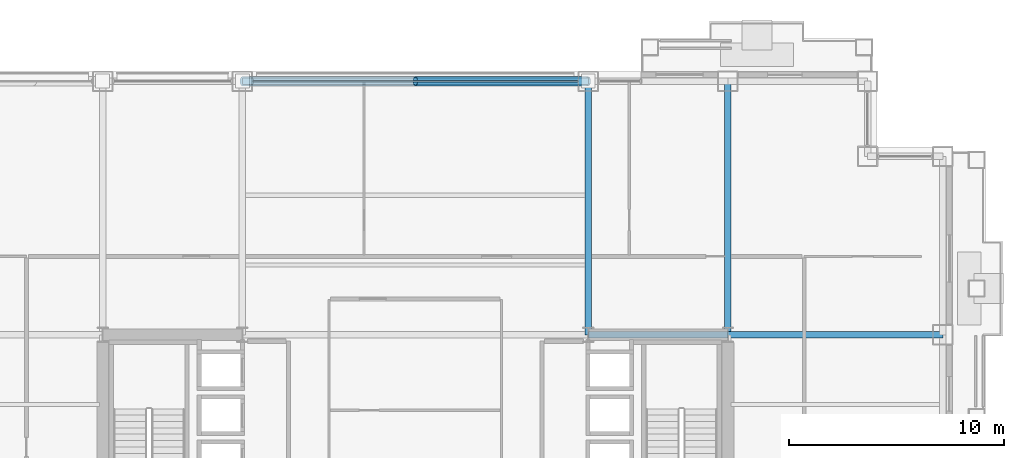
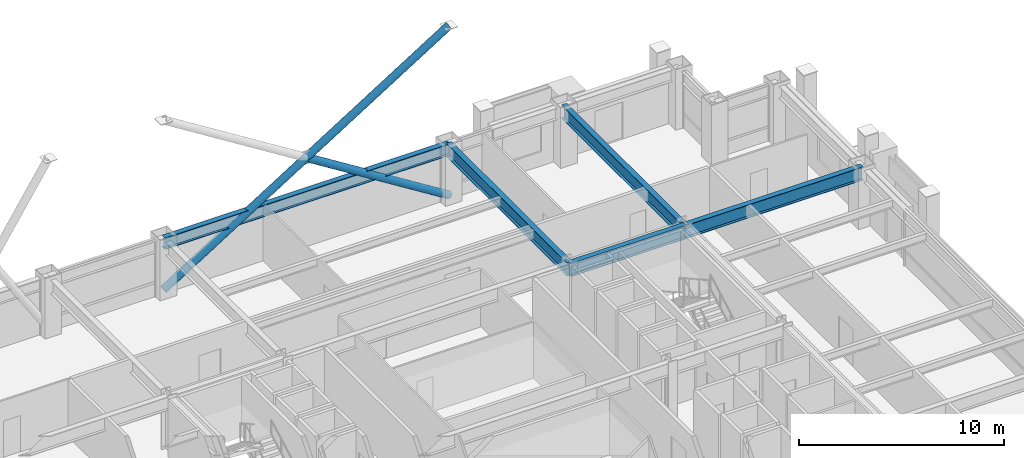
# One storey, part 21 of 33: 5 beams, 3 members, 1 element without a shape of its own.
"""IFC4 building model written with IfcOpenShell, lengths in metres."""

from ifc_helpers import new_model, si_unit, direction, frame, origin, origin_2d, place, context, subcontext, project, spatial, hollow_rectangle, hollow_circle, i_section, extrude, material, layer, layer_set, material_profile, profile_set, type_object, element, aggregate, save


model = new_model("IFC4")

# Units and contexts
model_context = context("Model", 3, precision=1e-05, world=origin(), true_north=direction((0.0, 1.0)))
body_context = subcontext(model_context, "Body", "Model", "MODEL_VIEW")
ifc_project = project(units=[si_unit("LENGTHUNIT", "METRE"), si_unit("AREAUNIT", "SQUARE_METRE"), si_unit("VOLUMEUNIT", "CUBIC_METRE"), si_unit("PLANEANGLEUNIT", "RADIAN"), si_unit("MASSUNIT", "GRAM", prefix="KILO")], contexts=[model_context])

# Site, building, storey
site_placement = place(None, origin())
site = spatial("IfcSite", under=ifc_project, at=site_placement, CompositionType="ELEMENT")
building_placement = place(site_placement, origin())
building = spatial("IfcBuilding", under=site, at=building_placement, Name="Brelmoor Portico Tower", CompositionType="ELEMENT")
storey_placement = place(building_placement, frame((0.0, 0.0, 34.800048828125)))
storey = spatial("IfcBuildingStorey", under=building, at=storey_placement, Name="L08", CompositionType="ELEMENT", Elevation=34.800048828125)

# Beams
ifc_material_1 = material(Name="Steel Q355B", Category="steel")
ifc_material_profile_1 = material_profile(ifc_material_1, i_section(OverallWidth=0.300048828125, OverallDepth=0.800048828125, WebThickness=0.013916015625, FlangeThickness=0.02587890625, at=origin_2d()), Name="HN 800x300x14x26")
ifc_profile_set_1 = profile_set([ifc_material_profile_1], Name="Steel Q355B")
beam_type_1 = type_object("IfcBeamType", Name="BM-PG-800", PredefinedType="BEAM", material=ifc_profile_set_1)
for number, where, z_axis, x_axis, name in (
    (1, (8.050048828125, 9.75, 3.0), (0.0, 1.0, 0.0), (-1.0, 0.0, 0.0), "L08 Primary Floor Girder PG-10"),
    (2, (14.550048828125, 9.75, 3.0), (0.0, 1.0, 0.0), (-1.0, 0.0, 0.0), "L08 Primary Floor Girder PG-14"),
):
    element("IfcBeam", number, at=place(storey_placement, frame(where, z_axis=z_axis, x_axis=x_axis)), inside=storey, type_object=beam_type_1, Name=name, PredefinedType="BEAM", context=body_context, shape_type="SweptSolid", body=[
        extrude(i_section(OverallWidth=0.300048828125, OverallDepth=0.800048828125, WebThickness=0.013916015625, FlangeThickness=0.02587890625, at=origin_2d()), origin(), (0.0, 0.0, 1.0), 11.800048828125),
    ])
beam_1_placement = place(storey_placement, frame((8.050048828125, 9.75, 3.0), z_axis=(1.0, 0.0, 0.0), x_axis=(0.0, 1.0, 0.0)))
element("IfcBeam", 3, at=beam_1_placement, inside=storey, type_object=beam_type_1, Name="L08 Primary Floor Girder PG-30", PredefinedType="BEAM", context=body_context, shape_type="SweptSolid", body=[
    extrude(i_section(OverallWidth=0.300048828125, OverallDepth=0.800048828125, WebThickness=0.013916015625, FlangeThickness=0.02587890625, at=origin_2d()), origin(), (0.0, 0.0, 1.0), 6.5),
])
beam_2_placement = place(storey_placement, frame((14.550048828125, 9.75, 3.0), z_axis=(1.0, 0.0, 0.0), x_axis=(0.0, 1.0, 0.0)))
element("IfcBeam", 4, at=beam_2_placement, inside=storey, type_object=beam_type_1, Name="L08 Primary Floor Girder PG-31", PredefinedType="BEAM", context=body_context, shape_type="SweptSolid", body=[
    extrude(i_section(OverallWidth=0.300048828125, OverallDepth=0.800048828125, WebThickness=0.013916015625, FlangeThickness=0.02587890625, at=origin_2d()), origin(), (0.0, 0.0, 1.0), 10.0),
])
ifc_material_profile_2 = material_profile(ifc_material_1, i_section(OverallWidth=0.300048828125, OverallDepth=0.699951171875, WebThickness=0.012939453125, FlangeThickness=0.02392578125, at=origin_2d()), Name="HN 700x300x13x24")
ifc_profile_set_2 = profile_set([ifc_material_profile_2], Name="Steel Q355B")
beam_type_2 = type_object("IfcBeamType", Name="BM-SP-700", PredefinedType="SPANDREL", material=ifc_profile_set_2)
beam_3_placement = place(storey_placement, frame((-8.050048828125, 21.550048828125, 3.050048828125), z_axis=(1.0, 0.0, 0.0), x_axis=(0.0, 1.0, 0.0)))
element("IfcBeam", 5, at=beam_3_placement, inside=storey, type_object=beam_type_2, Name="L08 Perimeter Spandrel Beam SP-12", PredefinedType="SPANDREL", context=body_context, shape_type="SweptSolid", body=[
    extrude(i_section(OverallWidth=0.300048828125, OverallDepth=0.699951171875, WebThickness=0.012939453125, FlangeThickness=0.02392578125, at=origin_2d()), origin(), (0.0, 0.0, 1.0), 16.10009765625),
])

# Members
ifc_material_profile_3 = material_profile(ifc_material_1, hollow_circle(Radius=0.212890625, WallThickness=0.02001953125, at=origin_2d()), Name="CHS 426x20")
ifc_profile_set_3 = profile_set([ifc_material_profile_3], Name="Steel Q355B")
member_type_1 = type_object("IfcMemberType", Name="MB-BELT-DIAG1", PredefinedType="BRACE", material=ifc_profile_set_3)
member_1_placement = place(storey_placement, frame((-8.050048828125, 21.550048828125, 0.25), z_axis=(0.847115258736, 0.0, 0.531409200538), x_axis=(0.0, 1.0, 0.0)))
element("IfcMember", 6, at=member_1_placement, inside=storey, type_object=member_type_1, Name="L08 Continuous Mega-X Brace 012A", PredefinedType="BRACE", context=body_context, shape_type="SweptSolid", body=[
    extrude(hollow_circle(Radius=0.212890625, WallThickness=0.02001953125, at=origin_2d()), origin(), (0.0, 0.0, 1.0), 19.005859375),
])
member_2_placement = place(storey_placement, frame((8.050048828125, 21.550048828125, 0.25), z_axis=(-0.847109476093, 0.0, 0.531418418493), x_axis=(0.0, -1.0, 0.0)))
element("IfcMember", 7, at=member_2_placement, inside=storey, type_object=member_type_1, Name="L08 Split Mega-X Brace 012B1", PredefinedType="BRACE", context=body_context, shape_type="SweptSolid", body=[
    extrude(hollow_circle(Radius=0.212890625, WallThickness=0.02001953125, at=origin_2d()), origin(), (0.0, 0.0, 1.0), 9.5029296875),
])

# Curtain wall, member
ifc_material_2 = material(Name="Anodised Aluminium Alloy 6063-T6", Category="aluminium")
ifc_layer = layer(ifc_material_2, 0.179931640625)
ifc_layer_set = layer_set([ifc_layer], Name="Anodised Aluminium Alloy 6063-T6")
curtain_wall_type = type_object("IfcCurtainWallType", Name="CW-TOWER-Z1-XB", PredefinedType="NOTDEFINED", material=ifc_layer_set)
curtain_wall_placement = place(storey_placement, origin())
curtain_wall = element("IfcCurtainWall", 8, at=curtain_wall_placement, inside=storey, type_object=curtain_wall_type, Name="L08 Curtain Wall CW-L08-2L-3", PredefinedType="NOTDEFINED")
ifc_material_profile_4 = material_profile(ifc_material_2, hollow_rectangle(XDim=0.06494140625, YDim=0.139892578125, WallThickness=0.00390625, at=origin_2d()), Name="ALU TRANSOM 65x140")
ifc_profile_set_4 = profile_set([ifc_material_profile_4], Name="Anodised Aluminium Alloy 6063-T6")
member_type_2 = type_object("IfcMemberType", Name="MB-CW-TRAN-140", PredefinedType="USERDEFINED", material=ifc_profile_set_4)
member_3_placement = place(storey_placement, frame((-7.56494140625, 21.550048828125, 3.329833984375), z_axis=(1.0, 0.0, 0.0), x_axis=(0.0, 1.0, 0.0)))
member_3 = element("IfcMember", 9, at=member_3_placement, type_object=member_type_2, Name="CW-L08-2L-3 Transom 1-00", ObjectType="TRANSOM", PredefinedType="USERDEFINED", context=body_context, shape_type="SweptSolid", body=[
    extrude(hollow_rectangle(XDim=0.06494140625, YDim=0.139892578125, WallThickness=0.00390625, at=origin_2d()), origin(), (0.0, 0.0, 1.0), 15.1298828125),
])
aggregate(curtain_wall, [member_3])

save(model, "model.ifc")
